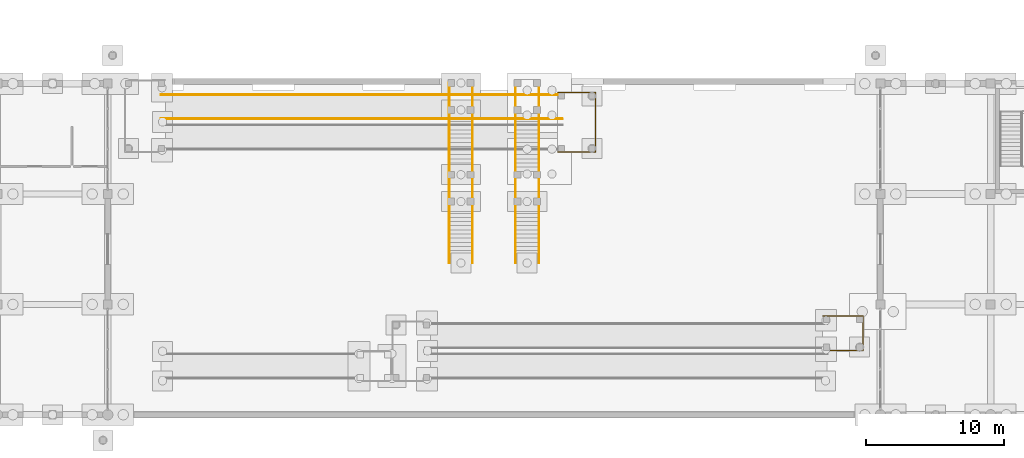
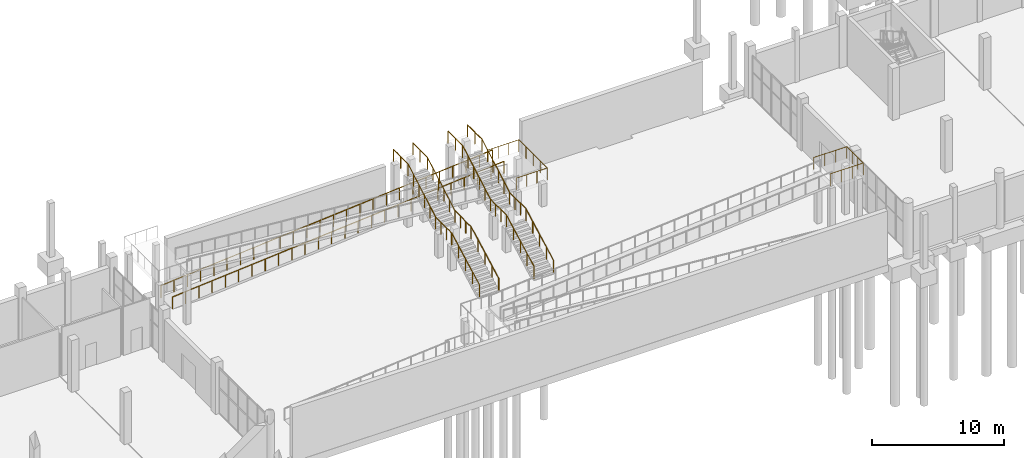
# One storey, part 42 of 52: 8 railings.
"""IFC4 building model written with IfcOpenShell, lengths in metres."""

import ifcopenshell
import ifcopenshell.guid

model = None  # the IFC model being written
_history = None  # IfcOwnerHistory: only IFC2X3 demands one
_inside = {}  # id of a spatial element -> (the spatial element, [elements in it])
_under = {}  # id of a project, library or spatial element -> (it, [spatial elements below it])
_declared = {}  # id of a project -> (the project, [libraries it declares])
_typed = {}  # id of a type object -> (the type object, [elements of that type])
_made_of = {}  # id of a material, layer set ... -> (it, [elements and type objects made of it])


def new_model(schema):
    """Start an empty IFC model of exactly this schema.

    Asked for "IFC4X3", IfcOpenShell would pick the latest addendum, in which some entities
    have other attributes; the version numbers below select the first issue.
    IFC2X3 requires an IfcOwnerHistory on every rooted entity: one is made here for all.
    """
    global model, _history
    if schema == "IFC4X3":
        model = ifcopenshell.file(schema_version=(4, 3, 0, 0))
    else:
        model = ifcopenshell.file(schema=schema)
    _inside.clear()
    _under.clear()
    _declared.clear()
    _typed.clear()
    _made_of.clear()
    _history = None
    if model.schema == "IFC2X3":
        org = make("IfcOrganization", Name="unknown")
        user = make(
            "IfcPersonAndOrganization",
            ThePerson=make("IfcPerson", FamilyName="unknown"),
            TheOrganization=org,
        )
        app = make(
            "IfcApplication",
            ApplicationDeveloper=org,
            Version="unknown",
            ApplicationFullName="unknown",
            ApplicationIdentifier="unknown",
        )
        _history = make(
            "IfcOwnerHistory",
            OwningUser=user,
            OwningApplication=app,
            ChangeAction="ADDED",
            CreationDate=0,
        )
    return model


def make(cls, **values):
    """One entity of the class cls with the attributes given. An attribute that is None is left unset."""
    return model.create_entity(
        cls, **{name: value for name, value in values.items() if value is not None}
    )


def rooted(cls, **values):
    """An entity with a GlobalId (a new one), such as an element, a storey or a relation."""
    return make(cls, GlobalId=ifcopenshell.guid.new(), OwnerHistory=_history, **values)


def si_unit(unit_type, name, prefix=None):
    """IfcSIUnit, for example si_unit("LENGTHUNIT", "METRE", prefix="MILLI")."""
    return make("IfcSIUnit", UnitType=unit_type, Prefix=prefix, Name=name)


def assignment(units):
    """IfcUnitAssignment: the units of a project."""
    return None if units is None else make("IfcUnitAssignment", Units=units)


def point(xyz):
    """IfcCartesianPoint."""
    return None if xyz is None else make("IfcCartesianPoint", Coordinates=xyz)


def direction(xyz):
    """IfcDirection."""
    return None if xyz is None else make("IfcDirection", DirectionRatios=xyz)


def frame(location, z_axis=None, x_axis=None):
    """IfcAxis2Placement3D, a coordinate frame: its origin and axes. An axis left out is left unset."""
    return make(
        "IfcAxis2Placement3D",
        Location=point(location),
        Axis=direction(z_axis),
        RefDirection=direction(x_axis),
    )


def frame_2d(location, x_axis=None):
    """IfcAxis2Placement2D, a coordinate frame in the plane: its origin and x axis."""
    return make(
        "IfcAxis2Placement2D", Location=point(location), RefDirection=direction(x_axis)
    )


def origin():
    """The frame at (0, 0, 0) with its axes left unset."""
    return frame((0.0, 0.0, 0.0))


def origin_2d():
    """The frame at (0, 0) in the plane with its x axis left unset."""
    return frame_2d((0.0, 0.0))


def place(relative_to, where):
    """IfcLocalPlacement: puts the frame where relative to a parent placement (None: the world)."""
    return make(
        "IfcLocalPlacement", PlacementRelTo=relative_to, RelativePlacement=where
    )


def context(
    kind, dimensions, precision=None, world=None, true_north=None, identifier=None
):
    """IfcGeometricRepresentationContext, for example the 3D "Model" context."""
    return make(
        "IfcGeometricRepresentationContext",
        ContextIdentifier=identifier,
        ContextType=kind,
        CoordinateSpaceDimension=dimensions,
        Precision=precision,
        WorldCoordinateSystem=world,
        TrueNorth=true_north,
    )


def subcontext(parent, identifier, kind, view, scale=None):
    """IfcGeometricRepresentationSubContext, for example "Body" below "Model"."""
    return make(
        "IfcGeometricRepresentationSubContext",
        ContextIdentifier=identifier,
        ContextType=kind,
        ParentContext=parent,
        TargetScale=scale,
        TargetView=view,
    )


def project(units=None, contexts=None):
    """IfcProject with its units and contexts."""
    return rooted(
        "IfcProject",
        Name="project",
        RepresentationContexts=contexts,
        UnitsInContext=assignment(units),
    )


def spatial(cls, under=None, at=None, **own):
    """A site, building, storey or space (cls), placed at a placement, below another one or the project."""
    s = rooted(cls, ObjectPlacement=at, **own)
    if under is not None:
        _under.setdefault(under.id(), (under, []))[1].append(s)
    return s


def profile(cls, at=None, kind="AREA", **sizes):
    """A parametric profile (cls). Its sizes go by their IFC names, for example OverallWidth=200.0."""
    return make(cls, ProfileType=kind, Position=at, **sizes)


def circle(**sizes):
    """IfcCircleProfileDef."""
    return profile("IfcCircleProfileDef", **sizes)


def extrude(swept, where, along, depth):
    """IfcExtrudedAreaSolid: the profile swept, set in the frame where, extruded along a direction by depth."""
    return make(
        "IfcExtrudedAreaSolid",
        SweptArea=swept,
        Position=where,
        ExtrudedDirection=direction(along),
        Depth=depth,
    )


def shape(context_of_items, identifier, shape_type, items):
    """IfcShapeRepresentation: the items that make up one representation, for example the "Body"."""
    return make(
        "IfcShapeRepresentation",
        ContextOfItems=context_of_items,
        RepresentationIdentifier=identifier,
        RepresentationType=shape_type,
        Items=items,
    )


def material(Name=None, Category=None):
    """IfcMaterial."""
    return make("IfcMaterial", Name=Name, Category=Category)


def made_of(thing, what):
    """Note that an element or type object is made of a material, layer set ...; save() writes the relation."""
    if what is not None:
        _made_of.setdefault(what.id(), (what, []))[1].append(thing)
    return thing


def type_object(cls, material=None, **own):
    """A type object (cls), such as IfcWallType, which elements share."""
    return made_of(rooted(cls, **own), material)


def element(
    cls,
    number,
    at=None,
    inside=None,
    cuts=None,
    type_object=None,
    material=None,
    context=None,
    identifier="Body",
    shape_type=None,
    held_by="IfcProductDefinitionShape",
    body=None,
    shapes=None,
    **own,
):
    """One element of the class cls, such as IfcWall. Its Tag is "e" and its number.

    at: its placement. inside: the storey or other place that contains it. cuts: it is an
    opening in that element (IfcRelVoidsElement). A single representation is given by context,
    identifier, shape_type and body (its items); several are given by shapes. held_by: the class
    of the entity that holds the representations. save() writes the other relations.
    """
    e = rooted(cls, Tag="e%d" % number, ObjectPlacement=at, **own)
    if body is not None:
        shapes = [shape(context, identifier, shape_type, body)]
    if shapes is not None:
        e.Representation = make(held_by, Representations=shapes)
    if inside is not None:
        _inside.setdefault(inside.id(), (inside, []))[1].append(e)
    if cuts is not None:
        rooted(
            "IfcRelVoidsElement", RelatingBuildingElement=cuts, RelatedOpeningElement=e
        )
    if type_object is not None:
        _typed.setdefault(type_object.id(), (type_object, []))[1].append(e)
    return made_of(e, material)


def aggregate(whole, parts):
    """IfcRelAggregates: a whole, such as a stair, and the parts it consists of."""
    return rooted("IfcRelAggregates", RelatingObject=whole, RelatedObjects=parts)


def save(model, path):
    """Write the relations noted so far, then the file.

    IfcRelAggregates (storeys below a building ...), IfcRelContainedInSpatialStructure (elements
    in a storey), IfcRelDefinesByType, IfcRelAssociatesMaterial and IfcRelDeclares: one each for
    every whole, place, type object, material and project.
    """
    for whole, parts in _under.values():
        aggregate(whole, parts)
    for where, things in _inside.values():
        rooted(
            "IfcRelContainedInSpatialStructure",
            RelatedElements=things,
            RelatingStructure=where,
        )
    for kind, things in _typed.values():
        rooted("IfcRelDefinesByType", RelatedObjects=things, RelatingType=kind)
    for what, things in _made_of.values():
        rooted("IfcRelAssociatesMaterial", RelatedObjects=things, RelatingMaterial=what)
    for by, libraries in _declared.values():
        rooted("IfcRelDeclares", RelatingContext=by, RelatedDefinitions=libraries)
    model.write(path)


model = new_model("IFC4")

# Units and contexts
model_context = context("Model", 3, precision=1e-05, world=origin(), true_north=direction((0.0, 1.0)))
body_context = subcontext(model_context, "Body", "Model", "MODEL_VIEW")
ifc_project = project(units=[si_unit("LENGTHUNIT", "METRE"), si_unit("AREAUNIT", "SQUARE_METRE"), si_unit("VOLUMEUNIT", "CUBIC_METRE"), si_unit("PLANEANGLEUNIT", "RADIAN"), si_unit("MASSUNIT", "GRAM", prefix="KILO")], contexts=[model_context])

# Site, building, storey
site_placement = place(None, origin())
site = spatial("IfcSite", under=ifc_project, at=site_placement, CompositionType="ELEMENT")
building_placement = place(site_placement, origin())
building = spatial("IfcBuilding", under=site, at=building_placement, Name="Luwemba Playhouse", CompositionType="ELEMENT")
storey_placement = place(building_placement, frame((0.0, 0.0, -4.800048828125)))
storey = spatial("IfcBuildingStorey", under=building, at=storey_placement, Name="B1", CompositionType="ELEMENT", Elevation=-4.800048828125)

# Railings
ifc_material_1 = material(Name="Painted wrought-iron gallery balustrade", Category="steel")
railing_type_1 = type_object("IfcRailingType", Name="RLG-BAL-INT", PredefinedType="BALUSTRADE", material=ifc_material_1)
railing_1_placement = place(storey_placement, frame((84.75, 14.0, 0.16015625)))
element("IfcRailing", 1, at=railing_1_placement, inside=storey, type_object=railing_type_1, Name="Forecourt stair ST-11 balustrade W", PredefinedType="BALUSTRADE", context=body_context, shape_type="SweptSolid", body=[
    extrude(circle(Radius=0.02392578125, at=origin_2d()), frame((0.0, 0.0, 1.09619140625), z_axis=(0.0, 0.882351521365, 0.470590897432), x_axis=(-1.0, 0.0, 0.0)), (0.0, 0.0, 1.0), 4.760009765625),
    extrude(circle(Radius=0.02392578125, at=origin_2d()), frame((0.0, 4.199951171875, 3.3359375), z_axis=(0.0, 1.0, 0.0), x_axis=(-1.0, 0.0, 0.0)), (0.0, 0.0, 1.0), 2.449951171875),
    extrude(circle(Radius=0.02392578125, at=origin_2d()), frame((0.0, 6.64990234375, 3.3359375), z_axis=(0.0, 0.868261776072, 0.496106327528), x_axis=(-1.0, 0.0, 0.0)), (0.0, 0.0, 1.0), 4.83740234375),
    extrude(circle(Radius=0.02392578125, at=origin_2d()), frame((0.0, 10.85009765625, 5.73583984375), z_axis=(0.0, 1.0, 0.0), x_axis=(-1.0, 0.0, 0.0)), (0.0, 0.0, 1.0), 2.199951171875),
    extrude(circle(Radius=0.02099609375, at=origin_2d()), origin(), (0.0, 0.0, 1.0), 1.072021484375),
    extrude(circle(Radius=0.02099609375, at=origin_2d()), frame((0.0, 1.050048828125, 0.56005859375)), (0.0, 0.0, 1.0), 1.072021484375),
    extrude(circle(Radius=0.02099609375, at=origin_2d()), frame((0.0, 2.10009765625, 1.1201171875)), (0.0, 0.0, 1.0), 1.072021484375),
    extrude(circle(Radius=0.02099609375, at=origin_2d()), frame((0.0, 3.14990234375, 1.679931640625)), (0.0, 0.0, 1.0), 1.072021484375),
    extrude(circle(Radius=0.02099609375, at=origin_2d()), frame((0.0, 4.199951171875, 2.239990234375)), (0.0, 0.0, 1.0), 1.072021484375),
    extrude(circle(Radius=0.02099609375, at=origin_2d()), frame((0.0, 5.0166015625, 2.239990234375)), (0.0, 0.0, 1.0), 1.072021484375),
    extrude(circle(Radius=0.02099609375, at=origin_2d()), frame((0.0, 5.833251953125, 2.239990234375)), (0.0, 0.0, 1.0), 1.072021484375),
    extrude(circle(Radius=0.02099609375, at=origin_2d()), frame((0.0, 6.64990234375, 2.239990234375)), (0.0, 0.0, 1.0), 1.072021484375),
    extrude(circle(Radius=0.02099609375, at=origin_2d()), frame((0.0, 7.489990234375, 2.719970703125)), (0.0, 0.0, 1.0), 1.072021484375),
    extrude(circle(Radius=0.02099609375, at=origin_2d()), frame((0.0, 8.330078125, 3.199951171875)), (0.0, 0.0, 1.0), 1.072021484375),
    extrude(circle(Radius=0.02099609375, at=origin_2d()), frame((0.0, 9.169921875, 3.679931640625)), (0.0, 0.0, 1.0), 1.072021484375),
    extrude(circle(Radius=0.02099609375, at=origin_2d()), frame((0.0, 10.010009765625, 4.159912109375)), (0.0, 0.0, 1.0), 1.072021484375),
    extrude(circle(Radius=0.02099609375, at=origin_2d()), frame((0.0, 10.85009765625, 4.639892578125)), (0.0, 0.0, 1.0), 1.072021484375),
    extrude(circle(Radius=0.02099609375, at=origin_2d()), frame((0.0, 11.9501953125, 4.639892578125)), (0.0, 0.0, 1.0), 1.072021484375),
    extrude(circle(Radius=0.02099609375, at=origin_2d()), frame((0.0, 13.050048828125, 4.639892578125)), (0.0, 0.0, 1.0), 1.072021484375),
])
railing_2_placement = place(storey_placement, frame((86.449951171875, 14.0, 0.16015625)))
element("IfcRailing", 2, at=railing_2_placement, inside=storey, type_object=railing_type_1, Name="Forecourt stair ST-11 balustrade E", PredefinedType="BALUSTRADE", context=body_context, shape_type="SweptSolid", body=[
    extrude(circle(Radius=0.02392578125, at=origin_2d()), frame((0.0, 0.0, 1.09619140625), z_axis=(0.0, 0.882351521365, 0.470590897432), x_axis=(-1.0, 0.0, 0.0)), (0.0, 0.0, 1.0), 4.760009765625),
    extrude(circle(Radius=0.02392578125, at=origin_2d()), frame((0.0, 4.199951171875, 3.3359375), z_axis=(0.0, 1.0, 0.0), x_axis=(-1.0, 0.0, 0.0)), (0.0, 0.0, 1.0), 2.449951171875),
    extrude(circle(Radius=0.02392578125, at=origin_2d()), frame((0.0, 6.64990234375, 3.3359375), z_axis=(0.0, 0.868261776072, 0.496106327528), x_axis=(-1.0, 0.0, 0.0)), (0.0, 0.0, 1.0), 4.83740234375),
    extrude(circle(Radius=0.02392578125, at=origin_2d()), frame((0.0, 10.85009765625, 5.73583984375), z_axis=(0.0, 1.0, 0.0), x_axis=(-1.0, 0.0, 0.0)), (0.0, 0.0, 1.0), 2.199951171875),
    extrude(circle(Radius=0.02099609375, at=origin_2d()), origin(), (0.0, 0.0, 1.0), 1.072021484375),
    extrude(circle(Radius=0.02099609375, at=origin_2d()), frame((0.0, 1.050048828125, 0.56005859375)), (0.0, 0.0, 1.0), 1.072021484375),
    extrude(circle(Radius=0.02099609375, at=origin_2d()), frame((0.0, 2.10009765625, 1.1201171875)), (0.0, 0.0, 1.0), 1.072021484375),
    extrude(circle(Radius=0.02099609375, at=origin_2d()), frame((0.0, 3.14990234375, 1.679931640625)), (0.0, 0.0, 1.0), 1.072021484375),
    extrude(circle(Radius=0.02099609375, at=origin_2d()), frame((0.0, 4.199951171875, 2.239990234375)), (0.0, 0.0, 1.0), 1.072021484375),
    extrude(circle(Radius=0.02099609375, at=origin_2d()), frame((0.0, 5.0166015625, 2.239990234375)), (0.0, 0.0, 1.0), 1.072021484375),
    extrude(circle(Radius=0.02099609375, at=origin_2d()), frame((0.0, 5.833251953125, 2.239990234375)), (0.0, 0.0, 1.0), 1.072021484375),
    extrude(circle(Radius=0.02099609375, at=origin_2d()), frame((0.0, 6.64990234375, 2.239990234375)), (0.0, 0.0, 1.0), 1.072021484375),
    extrude(circle(Radius=0.02099609375, at=origin_2d()), frame((0.0, 7.489990234375, 2.719970703125)), (0.0, 0.0, 1.0), 1.072021484375),
    extrude(circle(Radius=0.02099609375, at=origin_2d()), frame((0.0, 8.330078125, 3.199951171875)), (0.0, 0.0, 1.0), 1.072021484375),
    extrude(circle(Radius=0.02099609375, at=origin_2d()), frame((0.0, 9.169921875, 3.679931640625)), (0.0, 0.0, 1.0), 1.072021484375),
    extrude(circle(Radius=0.02099609375, at=origin_2d()), frame((0.0, 10.010009765625, 4.159912109375)), (0.0, 0.0, 1.0), 1.072021484375),
    extrude(circle(Radius=0.02099609375, at=origin_2d()), frame((0.0, 10.85009765625, 4.639892578125)), (0.0, 0.0, 1.0), 1.072021484375),
    extrude(circle(Radius=0.02099609375, at=origin_2d()), frame((0.0, 11.9501953125, 4.639892578125)), (0.0, 0.0, 1.0), 1.072021484375),
    extrude(circle(Radius=0.02099609375, at=origin_2d()), frame((0.0, 13.050048828125, 4.639892578125)), (0.0, 0.0, 1.0), 1.072021484375),
])
railing_3_placement = place(storey_placement, frame((89.550048828125, 14.0, 0.16015625)))
element("IfcRailing", 3, at=railing_3_placement, inside=storey, type_object=railing_type_1, Name="Forecourt stair ST-12 balustrade W", PredefinedType="BALUSTRADE", context=body_context, shape_type="SweptSolid", body=[
    extrude(circle(Radius=0.02392578125, at=origin_2d()), frame((0.0, 0.0, 1.09619140625), z_axis=(0.0, 0.882351521365, 0.470590897432), x_axis=(-1.0, 0.0, 0.0)), (0.0, 0.0, 1.0), 4.760009765625),
    extrude(circle(Radius=0.02392578125, at=origin_2d()), frame((0.0, 4.199951171875, 3.3359375), z_axis=(0.0, 1.0, 0.0), x_axis=(-1.0, 0.0, 0.0)), (0.0, 0.0, 1.0), 2.449951171875),
    extrude(circle(Radius=0.02392578125, at=origin_2d()), frame((0.0, 6.64990234375, 3.3359375), z_axis=(0.0, 0.868261776072, 0.496106327528), x_axis=(-1.0, 0.0, 0.0)), (0.0, 0.0, 1.0), 4.83740234375),
    extrude(circle(Radius=0.02392578125, at=origin_2d()), frame((0.0, 10.85009765625, 5.73583984375), z_axis=(0.0, 1.0, 0.0), x_axis=(-1.0, 0.0, 0.0)), (0.0, 0.0, 1.0), 2.199951171875),
    extrude(circle(Radius=0.02099609375, at=origin_2d()), origin(), (0.0, 0.0, 1.0), 1.072021484375),
    extrude(circle(Radius=0.02099609375, at=origin_2d()), frame((0.0, 1.050048828125, 0.56005859375)), (0.0, 0.0, 1.0), 1.072021484375),
    extrude(circle(Radius=0.02099609375, at=origin_2d()), frame((0.0, 2.10009765625, 1.1201171875)), (0.0, 0.0, 1.0), 1.072021484375),
    extrude(circle(Radius=0.02099609375, at=origin_2d()), frame((0.0, 3.14990234375, 1.679931640625)), (0.0, 0.0, 1.0), 1.072021484375),
    extrude(circle(Radius=0.02099609375, at=origin_2d()), frame((0.0, 4.199951171875, 2.239990234375)), (0.0, 0.0, 1.0), 1.072021484375),
    extrude(circle(Radius=0.02099609375, at=origin_2d()), frame((0.0, 5.0166015625, 2.239990234375)), (0.0, 0.0, 1.0), 1.072021484375),
    extrude(circle(Radius=0.02099609375, at=origin_2d()), frame((0.0, 5.833251953125, 2.239990234375)), (0.0, 0.0, 1.0), 1.072021484375),
    extrude(circle(Radius=0.02099609375, at=origin_2d()), frame((0.0, 6.64990234375, 2.239990234375)), (0.0, 0.0, 1.0), 1.072021484375),
    extrude(circle(Radius=0.02099609375, at=origin_2d()), frame((0.0, 7.489990234375, 2.719970703125)), (0.0, 0.0, 1.0), 1.072021484375),
    extrude(circle(Radius=0.02099609375, at=origin_2d()), frame((0.0, 8.330078125, 3.199951171875)), (0.0, 0.0, 1.0), 1.072021484375),
    extrude(circle(Radius=0.02099609375, at=origin_2d()), frame((0.0, 9.169921875, 3.679931640625)), (0.0, 0.0, 1.0), 1.072021484375),
    extrude(circle(Radius=0.02099609375, at=origin_2d()), frame((0.0, 10.010009765625, 4.159912109375)), (0.0, 0.0, 1.0), 1.072021484375),
    extrude(circle(Radius=0.02099609375, at=origin_2d()), frame((0.0, 10.85009765625, 4.639892578125)), (0.0, 0.0, 1.0), 1.072021484375),
    extrude(circle(Radius=0.02099609375, at=origin_2d()), frame((0.0, 11.9501953125, 4.639892578125)), (0.0, 0.0, 1.0), 1.072021484375),
    extrude(circle(Radius=0.02099609375, at=origin_2d()), frame((0.0, 13.050048828125, 4.639892578125)), (0.0, 0.0, 1.0), 1.072021484375),
])
railing_4_placement = place(storey_placement, frame((91.25, 14.0, 0.16015625)))
element("IfcRailing", 4, at=railing_4_placement, inside=storey, type_object=railing_type_1, Name="Forecourt stair ST-12 balustrade E", PredefinedType="BALUSTRADE", context=body_context, shape_type="SweptSolid", body=[
    extrude(circle(Radius=0.02392578125, at=origin_2d()), frame((0.0, 0.0, 1.09619140625), z_axis=(0.0, 0.882351521365, 0.470590897432), x_axis=(-1.0, 0.0, 0.0)), (0.0, 0.0, 1.0), 4.760009765625),
    extrude(circle(Radius=0.02392578125, at=origin_2d()), frame((0.0, 4.199951171875, 3.3359375), z_axis=(0.0, 1.0, 0.0), x_axis=(-1.0, 0.0, 0.0)), (0.0, 0.0, 1.0), 2.449951171875),
    extrude(circle(Radius=0.02392578125, at=origin_2d()), frame((0.0, 6.64990234375, 3.3359375), z_axis=(0.0, 0.868261776072, 0.496106327528), x_axis=(-1.0, 0.0, 0.0)), (0.0, 0.0, 1.0), 4.83740234375),
    extrude(circle(Radius=0.02392578125, at=origin_2d()), frame((0.0, 10.85009765625, 5.73583984375), z_axis=(0.0, 1.0, 0.0), x_axis=(-1.0, 0.0, 0.0)), (0.0, 0.0, 1.0), 2.199951171875),
    extrude(circle(Radius=0.02099609375, at=origin_2d()), origin(), (0.0, 0.0, 1.0), 1.072021484375),
    extrude(circle(Radius=0.02099609375, at=origin_2d()), frame((0.0, 1.050048828125, 0.56005859375)), (0.0, 0.0, 1.0), 1.072021484375),
    extrude(circle(Radius=0.02099609375, at=origin_2d()), frame((0.0, 2.10009765625, 1.1201171875)), (0.0, 0.0, 1.0), 1.072021484375),
    extrude(circle(Radius=0.02099609375, at=origin_2d()), frame((0.0, 3.14990234375, 1.679931640625)), (0.0, 0.0, 1.0), 1.072021484375),
    extrude(circle(Radius=0.02099609375, at=origin_2d()), frame((0.0, 4.199951171875, 2.239990234375)), (0.0, 0.0, 1.0), 1.072021484375),
    extrude(circle(Radius=0.02099609375, at=origin_2d()), frame((0.0, 5.0166015625, 2.239990234375)), (0.0, 0.0, 1.0), 1.072021484375),
    extrude(circle(Radius=0.02099609375, at=origin_2d()), frame((0.0, 5.833251953125, 2.239990234375)), (0.0, 0.0, 1.0), 1.072021484375),
    extrude(circle(Radius=0.02099609375, at=origin_2d()), frame((0.0, 6.64990234375, 2.239990234375)), (0.0, 0.0, 1.0), 1.072021484375),
    extrude(circle(Radius=0.02099609375, at=origin_2d()), frame((0.0, 7.489990234375, 2.719970703125)), (0.0, 0.0, 1.0), 1.072021484375),
    extrude(circle(Radius=0.02099609375, at=origin_2d()), frame((0.0, 8.330078125, 3.199951171875)), (0.0, 0.0, 1.0), 1.072021484375),
    extrude(circle(Radius=0.02099609375, at=origin_2d()), frame((0.0, 9.169921875, 3.679931640625)), (0.0, 0.0, 1.0), 1.072021484375),
    extrude(circle(Radius=0.02099609375, at=origin_2d()), frame((0.0, 10.010009765625, 4.159912109375)), (0.0, 0.0, 1.0), 1.072021484375),
    extrude(circle(Radius=0.02099609375, at=origin_2d()), frame((0.0, 10.85009765625, 4.639892578125)), (0.0, 0.0, 1.0), 1.072021484375),
    extrude(circle(Radius=0.02099609375, at=origin_2d()), frame((0.0, 11.9501953125, 4.639892578125)), (0.0, 0.0, 1.0), 1.072021484375),
    extrude(circle(Radius=0.02099609375, at=origin_2d()), frame((0.0, 13.050048828125, 4.639892578125)), (0.0, 0.0, 1.0), 1.072021484375),
])
ifc_material_2 = material(Name="Painted wrought-iron balustrade", Category="steel")
railing_type_2 = type_object("IfcRailingType", Name="RLG-RMP-BAL", PredefinedType="BALUSTRADE", material=ifc_material_2)
railing_5_placement = place(storey_placement, frame((63.85009765625, 24.449951171875, 0.0)))
element("IfcRailing", 5, at=railing_5_placement, inside=storey, type_object=railing_type_2, Name="RMP-ACC-FC1 side guard 1", PredefinedType="BALUSTRADE", context=body_context, shape_type="SweptSolid", body=[
    extrude(circle(Radius=0.02392578125, at=origin_2d()), frame((0.0, 0.0, 1.09619140625), z_axis=(0.996615808512, 0.0, 0.082200548803), x_axis=(0.0, 1.0, 0.0)), (0.0, 0.0, 1.0), 29.19873046875),
    extrude(circle(Radius=0.02099609375, at=origin_2d()), origin(), (0.0, 0.0, 1.0), 1.072021484375),
    extrude(circle(Radius=0.02099609375, at=origin_2d()), frame((1.1640625, 0.0, 0.095947265625)), (0.0, 0.0, 1.0), 1.072021484375),
    extrude(circle(Radius=0.02099609375, at=origin_2d()), frame((2.327880859375, 0.0, 0.19189453125)), (0.0, 0.0, 1.0), 1.072021484375),
    extrude(circle(Radius=0.02099609375, at=origin_2d()), frame((3.491943359375, 0.0, 0.2880859375)), (0.0, 0.0, 1.0), 1.072021484375),
    extrude(circle(Radius=0.02099609375, at=origin_2d()), frame((4.656005859375, 0.0, 0.384033203125)), (0.0, 0.0, 1.0), 1.072021484375),
    extrude(circle(Radius=0.02099609375, at=origin_2d()), frame((5.820068359375, 0.0, 0.47998046875)), (0.0, 0.0, 1.0), 1.072021484375),
    extrude(circle(Radius=0.02099609375, at=origin_2d()), frame((6.98388671875, 0.0, 0.575927734375)), (0.0, 0.0, 1.0), 1.072021484375),
    extrude(circle(Radius=0.02099609375, at=origin_2d()), frame((8.14794921875, 0.0, 0.672119140625)), (0.0, 0.0, 1.0), 1.072021484375),
    extrude(circle(Radius=0.02099609375, at=origin_2d()), frame((9.31201171875, 0.0, 0.76806640625)), (0.0, 0.0, 1.0), 1.072021484375),
    extrude(circle(Radius=0.02099609375, at=origin_2d()), frame((10.475830078125, 0.0, 0.864013671875)), (0.0, 0.0, 1.0), 1.072021484375),
    extrude(circle(Radius=0.02099609375, at=origin_2d()), frame((11.639892578125, 0.0, 0.9599609375)), (0.0, 0.0, 1.0), 1.072021484375),
    extrude(circle(Radius=0.02099609375, at=origin_2d()), frame((12.803955078125, 0.0, 1.05615234375)), (0.0, 0.0, 1.0), 1.072021484375),
    extrude(circle(Radius=0.02099609375, at=origin_2d()), frame((13.968017578125, 0.0, 1.152099609375)), (0.0, 0.0, 1.0), 1.072021484375),
    extrude(circle(Radius=0.02099609375, at=origin_2d()), frame((15.1318359375, 0.0, 1.248046875)), (0.0, 0.0, 1.0), 1.072021484375),
    extrude(circle(Radius=0.02099609375, at=origin_2d()), frame((16.2958984375, 0.0, 1.343994140625)), (0.0, 0.0, 1.0), 1.072021484375),
    extrude(circle(Radius=0.02099609375, at=origin_2d()), frame((17.4599609375, 0.0, 1.440185546875)), (0.0, 0.0, 1.0), 1.072021484375),
    extrude(circle(Radius=0.02099609375, at=origin_2d()), frame((18.6240234375, 0.0, 1.5361328125)), (0.0, 0.0, 1.0), 1.072021484375),
    extrude(circle(Radius=0.02099609375, at=origin_2d()), frame((19.787841796875, 0.0, 1.632080078125)), (0.0, 0.0, 1.0), 1.072021484375),
    extrude(circle(Radius=0.02099609375, at=origin_2d()), frame((20.951904296875, 0.0, 1.72802734375)), (0.0, 0.0, 1.0), 1.072021484375),
    extrude(circle(Radius=0.02099609375, at=origin_2d()), frame((22.115966796875, 0.0, 1.82421875)), (0.0, 0.0, 1.0), 1.072021484375),
    extrude(circle(Radius=0.02099609375, at=origin_2d()), frame((23.27978515625, 0.0, 1.920166015625)), (0.0, 0.0, 1.0), 1.072021484375),
    extrude(circle(Radius=0.02099609375, at=origin_2d()), frame((24.44384765625, 0.0, 2.01611328125)), (0.0, 0.0, 1.0), 1.072021484375),
    extrude(circle(Radius=0.02099609375, at=origin_2d()), frame((25.60791015625, 0.0, 2.112060546875)), (0.0, 0.0, 1.0), 1.072021484375),
    extrude(circle(Radius=0.02099609375, at=origin_2d()), frame((26.77197265625, 0.0, 2.208251953125)), (0.0, 0.0, 1.0), 1.072021484375),
    extrude(circle(Radius=0.02099609375, at=origin_2d()), frame((27.935791015625, 0.0, 2.30419921875)), (0.0, 0.0, 1.0), 1.072021484375),
    extrude(circle(Radius=0.02099609375, at=origin_2d()), frame((29.099853515625, 0.0, 2.400146484375)), (0.0, 0.0, 1.0), 1.072021484375),
])
railing_6_placement = place(storey_placement, frame((63.85009765625, 26.199951171875, 0.0)))
element("IfcRailing", 6, at=railing_6_placement, inside=storey, type_object=railing_type_2, Name="RMP-ACC-FC1 side guard 2", PredefinedType="BALUSTRADE", context=body_context, shape_type="SweptSolid", body=[
    extrude(circle(Radius=0.02392578125, at=origin_2d()), frame((0.0, 0.0, 1.09619140625), z_axis=(0.996615808512, 0.0, 0.082200548803), x_axis=(0.0, 1.0, 0.0)), (0.0, 0.0, 1.0), 29.19873046875),
    extrude(circle(Radius=0.02099609375, at=origin_2d()), origin(), (0.0, 0.0, 1.0), 1.072021484375),
    extrude(circle(Radius=0.02099609375, at=origin_2d()), frame((1.1640625, 0.0, 0.095947265625)), (0.0, 0.0, 1.0), 1.072021484375),
    extrude(circle(Radius=0.02099609375, at=origin_2d()), frame((2.327880859375, 0.0, 0.19189453125)), (0.0, 0.0, 1.0), 1.072021484375),
    extrude(circle(Radius=0.02099609375, at=origin_2d()), frame((3.491943359375, 0.0, 0.2880859375)), (0.0, 0.0, 1.0), 1.072021484375),
    extrude(circle(Radius=0.02099609375, at=origin_2d()), frame((4.656005859375, 0.0, 0.384033203125)), (0.0, 0.0, 1.0), 1.072021484375),
    extrude(circle(Radius=0.02099609375, at=origin_2d()), frame((5.820068359375, 0.0, 0.47998046875)), (0.0, 0.0, 1.0), 1.072021484375),
    extrude(circle(Radius=0.02099609375, at=origin_2d()), frame((6.98388671875, 0.0, 0.575927734375)), (0.0, 0.0, 1.0), 1.072021484375),
    extrude(circle(Radius=0.02099609375, at=origin_2d()), frame((8.14794921875, 0.0, 0.672119140625)), (0.0, 0.0, 1.0), 1.072021484375),
    extrude(circle(Radius=0.02099609375, at=origin_2d()), frame((9.31201171875, 0.0, 0.76806640625)), (0.0, 0.0, 1.0), 1.072021484375),
    extrude(circle(Radius=0.02099609375, at=origin_2d()), frame((10.475830078125, 0.0, 0.864013671875)), (0.0, 0.0, 1.0), 1.072021484375),
    extrude(circle(Radius=0.02099609375, at=origin_2d()), frame((11.639892578125, 0.0, 0.9599609375)), (0.0, 0.0, 1.0), 1.072021484375),
    extrude(circle(Radius=0.02099609375, at=origin_2d()), frame((12.803955078125, 0.0, 1.05615234375)), (0.0, 0.0, 1.0), 1.072021484375),
    extrude(circle(Radius=0.02099609375, at=origin_2d()), frame((13.968017578125, 0.0, 1.152099609375)), (0.0, 0.0, 1.0), 1.072021484375),
    extrude(circle(Radius=0.02099609375, at=origin_2d()), frame((15.1318359375, 0.0, 1.248046875)), (0.0, 0.0, 1.0), 1.072021484375),
    extrude(circle(Radius=0.02099609375, at=origin_2d()), frame((16.2958984375, 0.0, 1.343994140625)), (0.0, 0.0, 1.0), 1.072021484375),
    extrude(circle(Radius=0.02099609375, at=origin_2d()), frame((17.4599609375, 0.0, 1.440185546875)), (0.0, 0.0, 1.0), 1.072021484375),
    extrude(circle(Radius=0.02099609375, at=origin_2d()), frame((18.6240234375, 0.0, 1.5361328125)), (0.0, 0.0, 1.0), 1.072021484375),
    extrude(circle(Radius=0.02099609375, at=origin_2d()), frame((19.787841796875, 0.0, 1.632080078125)), (0.0, 0.0, 1.0), 1.072021484375),
    extrude(circle(Radius=0.02099609375, at=origin_2d()), frame((20.951904296875, 0.0, 1.72802734375)), (0.0, 0.0, 1.0), 1.072021484375),
    extrude(circle(Radius=0.02099609375, at=origin_2d()), frame((22.115966796875, 0.0, 1.82421875)), (0.0, 0.0, 1.0), 1.072021484375),
    extrude(circle(Radius=0.02099609375, at=origin_2d()), frame((23.27978515625, 0.0, 1.920166015625)), (0.0, 0.0, 1.0), 1.072021484375),
    extrude(circle(Radius=0.02099609375, at=origin_2d()), frame((24.44384765625, 0.0, 2.01611328125)), (0.0, 0.0, 1.0), 1.072021484375),
    extrude(circle(Radius=0.02099609375, at=origin_2d()), frame((25.60791015625, 0.0, 2.112060546875)), (0.0, 0.0, 1.0), 1.072021484375),
    extrude(circle(Radius=0.02099609375, at=origin_2d()), frame((26.77197265625, 0.0, 2.208251953125)), (0.0, 0.0, 1.0), 1.072021484375),
    extrude(circle(Radius=0.02099609375, at=origin_2d()), frame((27.935791015625, 0.0, 2.30419921875)), (0.0, 0.0, 1.0), 1.072021484375),
    extrude(circle(Radius=0.02099609375, at=origin_2d()), frame((29.099853515625, 0.0, 2.400146484375)), (0.0, 0.0, 1.0), 1.072021484375),
])
railing_7_placement = place(storey_placement, frame((92.64990234375, 22.050048828125, 2.400146484375)))
element("IfcRailing", 7, at=railing_7_placement, inside=storey, type_object=railing_type_2, Name="RMP-ACC-FC1 landing perimeter guard", PredefinedType="BALUSTRADE", context=body_context, shape_type="SweptSolid", body=[
    extrude(circle(Radius=0.02392578125, at=origin_2d()), frame((0.0, 0.0, 1.09619140625), z_axis=(1.0, 0.0, 0.0), x_axis=(0.0, 1.0, 0.0)), (0.0, 0.0, 1.0), 2.7001953125),
    extrude(circle(Radius=0.02392578125, at=origin_2d()), frame((2.7001953125, 0.0, 1.09619140625), z_axis=(0.0, 1.0, 0.0), x_axis=(-1.0, 0.0, 0.0)), (0.0, 0.0, 1.0), 4.300048828125),
    extrude(circle(Radius=0.02392578125, at=origin_2d()), frame((2.7001953125, 4.300048828125, 1.09619140625), z_axis=(-1.0, 0.0, 0.0), x_axis=(0.0, -1.0, 0.0)), (0.0, 0.0, 1.0), 2.7001953125),
    extrude(circle(Radius=0.02099609375, at=origin_2d()), origin(), (0.0, 0.0, 1.0), 1.072021484375),
    extrude(circle(Radius=0.02099609375, at=origin_2d()), frame((0.900146484375, 0.0, 0.0)), (0.0, 0.0, 1.0), 1.072021484375),
    extrude(circle(Radius=0.02099609375, at=origin_2d()), frame((1.800048828125, 0.0, 0.0)), (0.0, 0.0, 1.0), 1.072021484375),
    extrude(circle(Radius=0.02099609375, at=origin_2d()), frame((2.7001953125, 0.0, 0.0)), (0.0, 0.0, 1.0), 1.072021484375),
    extrude(circle(Radius=0.02099609375, at=origin_2d()), frame((2.7001953125, 1.074951171875, 0.0)), (0.0, 0.0, 1.0), 1.072021484375),
    extrude(circle(Radius=0.02099609375, at=origin_2d()), frame((2.7001953125, 2.14990234375, 0.0)), (0.0, 0.0, 1.0), 1.072021484375),
    extrude(circle(Radius=0.02099609375, at=origin_2d()), frame((2.7001953125, 3.22509765625, 0.0)), (0.0, 0.0, 1.0), 1.072021484375),
    extrude(circle(Radius=0.02099609375, at=origin_2d()), frame((2.7001953125, 4.300048828125, 0.0)), (0.0, 0.0, 1.0), 1.072021484375),
    extrude(circle(Radius=0.02099609375, at=origin_2d()), frame((1.800048828125, 4.300048828125, 0.0)), (0.0, 0.0, 1.0), 1.072021484375),
    extrude(circle(Radius=0.02099609375, at=origin_2d()), frame((0.900146484375, 4.300048828125, 0.0)), (0.0, 0.0, 1.0), 1.072021484375),
    extrude(circle(Radius=0.02099609375, at=origin_2d()), frame((0.0, 4.300048828125, 0.0)), (0.0, 0.0, 1.0), 1.072021484375),
])
railing_8_placement = place(storey_placement, frame((111.85009765625, 7.64990234375, 4.800048828125)))
element("IfcRailing", 8, at=railing_8_placement, inside=storey, type_object=railing_type_2, Name="RMP-ACC-FC4 landing perimeter guard", PredefinedType="BALUSTRADE", context=body_context, shape_type="SweptSolid", body=[
    extrude(circle(Radius=0.02392578125, at=origin_2d()), frame((0.0, 0.0, 1.09619140625), z_axis=(1.0, 0.0, 0.0), x_axis=(0.0, 1.0, 0.0)), (0.0, 0.0, 1.0), 2.89990234375),
    extrude(circle(Radius=0.02392578125, at=origin_2d()), frame((2.89990234375, 0.0, 1.09619140625), z_axis=(0.0, 1.0, 0.0), x_axis=(-1.0, 0.0, 0.0)), (0.0, 0.0, 1.0), 2.5),
    extrude(circle(Radius=0.02392578125, at=origin_2d()), frame((2.89990234375, 2.5, 1.09619140625), z_axis=(-1.0, 0.0, 0.0), x_axis=(0.0, -1.0, 0.0)), (0.0, 0.0, 1.0), 2.89990234375),
    extrude(circle(Radius=0.02099609375, at=origin_2d()), origin(), (0.0, 0.0, 1.0), 1.072021484375),
    extrude(circle(Radius=0.02099609375, at=origin_2d()), frame((0.966552734375, 0.0, 0.0)), (0.0, 0.0, 1.0), 1.072021484375),
    extrude(circle(Radius=0.02099609375, at=origin_2d()), frame((1.933349609375, 0.0, 0.0)), (0.0, 0.0, 1.0), 1.072021484375),
    extrude(circle(Radius=0.02099609375, at=origin_2d()), frame((2.89990234375, 0.0, 0.0)), (0.0, 0.0, 1.0), 1.072021484375),
    extrude(circle(Radius=0.02099609375, at=origin_2d()), frame((2.89990234375, 0.833251953125, 0.0)), (0.0, 0.0, 1.0), 1.072021484375),
    extrude(circle(Radius=0.02099609375, at=origin_2d()), frame((2.89990234375, 1.666748046875, 0.0)), (0.0, 0.0, 1.0), 1.072021484375),
    extrude(circle(Radius=0.02099609375, at=origin_2d()), frame((2.89990234375, 2.5, 0.0)), (0.0, 0.0, 1.0), 1.072021484375),
    extrude(circle(Radius=0.02099609375, at=origin_2d()), frame((1.933349609375, 2.5, 0.0)), (0.0, 0.0, 1.0), 1.072021484375),
    extrude(circle(Radius=0.02099609375, at=origin_2d()), frame((0.966552734375, 2.5, 0.0)), (0.0, 0.0, 1.0), 1.072021484375),
    extrude(circle(Radius=0.02099609375, at=origin_2d()), frame((0.0, 2.5, 0.0)), (0.0, 0.0, 1.0), 1.072021484375),
])

save(model, "model.ifc")
